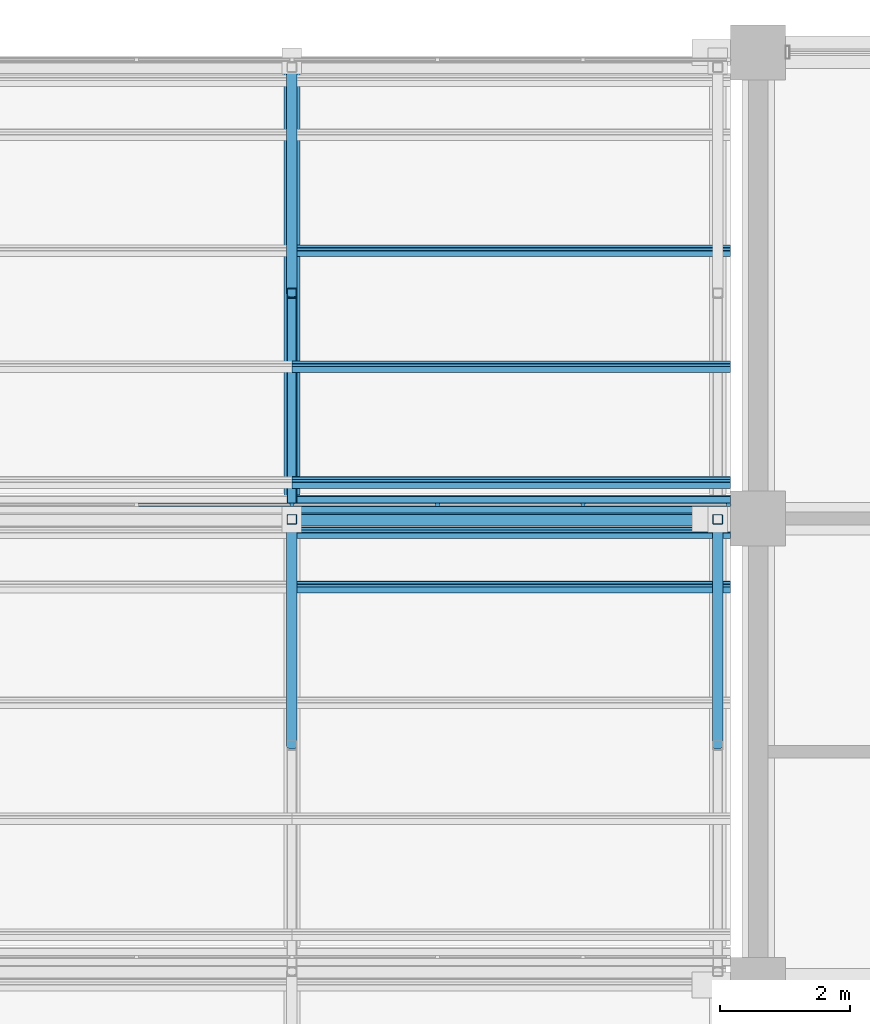
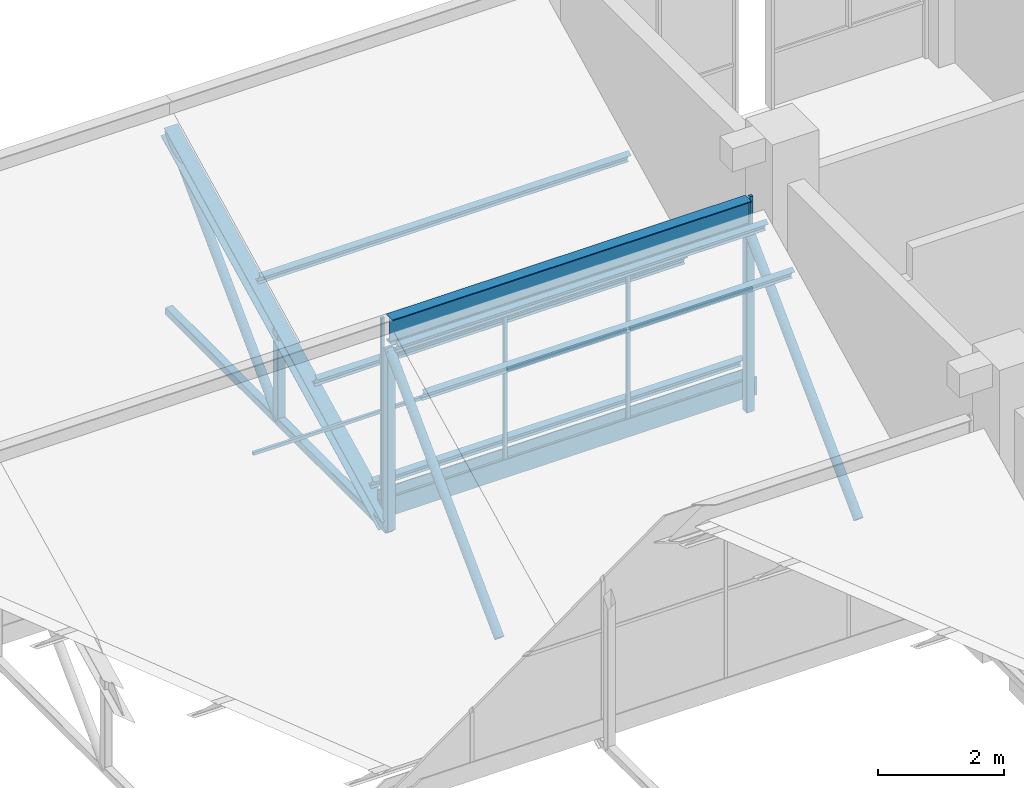
# One storey, part 56 of 83: 23 members, 2 elements without a shape of their own.
"""IFC4 building model written with IfcOpenShell, lengths in metres."""

from ifc_helpers import new_model, si_unit, direction, frame, origin, origin_2d, place, context, subcontext, project, spatial, polyline, rectangle, hollow_rectangle, hollow_circle, i_section, outline, extrude, material, material_profile, profile_set, type_object, element, aggregate, save


model = new_model("IFC4")

# Units and contexts
model_context = context("Model", 3, precision=1e-05, world=origin(), true_north=direction((0.0, 1.0)))
body_context = subcontext(model_context, "Body", "Model", "MODEL_VIEW")
ifc_project = project(units=[si_unit("LENGTHUNIT", "METRE"), si_unit("AREAUNIT", "SQUARE_METRE"), si_unit("VOLUMEUNIT", "CUBIC_METRE"), si_unit("PLANEANGLEUNIT", "RADIAN"), si_unit("MASSUNIT", "GRAM", prefix="KILO")], contexts=[model_context])

# Site, building, storey
site_placement = place(None, origin())
site = spatial("IfcSite", under=ifc_project, at=site_placement, CompositionType="ELEMENT")
building_placement = place(site_placement, origin())
building = spatial("IfcBuilding", under=site, at=building_placement, Name="Silangan Lancet Faculty of Sciences", CompositionType="ELEMENT")
storey_placement = place(building_placement, frame((0.0, 0.0, 11.39990234375)))
storey = spatial("IfcBuildingStorey", under=building, at=storey_placement, Name="L02", CompositionType="ELEMENT", Elevation=11.39990234375)

# Member
ifc_material_1 = material(Name="Steel SS400", Category="steel")
ifc_material_profile_1 = material_profile(ifc_material_1, i_section(OverallWidth=0.199951171875, OverallDepth=0.5, WebThickness=0.010009765625, FlangeThickness=0.01611328125, FilletRadius=0.02001953125, at=origin_2d()), Name="H 500x200x10x16")
ifc_profile_set_1 = profile_set([ifc_material_profile_1], Name="Steel SS400")
member_type_1 = type_object("IfcMemberType", Name="Exposed ridge beam H 500x200x10x16", PredefinedType="MEMBER", material=ifc_profile_set_1)
member_1_placement = place(storey_placement, frame((64.800048828125, 50.38818359375, 3.942626953125), z_axis=(1.0, 0.0, 0.0), x_axis=(0.0, 1.0, 0.0)))
element("IfcMember", 1, at=member_1_placement, inside=storey, type_object=member_type_1, Name="Exposed ridge beam NAB-2-6", PredefinedType="MEMBER", context=body_context, shape_type="SweptSolid", body=[
    extrude(i_section(OverallWidth=0.199951171875, OverallDepth=0.5, WebThickness=0.010009765625, FlangeThickness=0.01611328125, FilletRadius=0.02001953125, at=origin_2d()), origin(), (0.0, 0.0, 1.0), 6.574951171875),
])

# Curtain wall, members
ifc_material_2 = material(Name="Aluminium and laminated glass", Category="aluminium")
curtain_wall_type = type_object("IfcCurtainWallType", Name="North light glazing system", PredefinedType="NOTDEFINED", material=ifc_material_2)
curtain_wall_1_placement = place(storey_placement, origin())
curtain_wall_1 = element("IfcCurtainWall", 2, at=curtain_wall_1_placement, inside=storey, type_object=curtain_wall_type, Name="North light glazing NAB-2-6", PredefinedType="NOTDEFINED")
ifc_material_3 = material(Name="Aluminium 6063-T6", Category="aluminium")
ifc_material_profile_2 = material_profile(ifc_material_3, rectangle(XDim=0.06005859375, YDim=0.050048828125, at=origin_2d()), Name="AL 60x50")
ifc_profile_set_2 = profile_set([ifc_material_profile_2], Name="Aluminium 6063-T6")
member_type_2 = type_object("IfcMemberType", Name="North light mullion 60x50", PredefinedType="MULLION", material=ifc_profile_set_2)
member_2_placement = place(storey_placement, frame((64.800048828125, 50.61328125, 0.4423828125), z_axis=(0.0, 0.0, 1.0), x_axis=(1.0, 0.0, 0.0)))
member_2 = element("IfcMember", 3, at=member_2_placement, type_object=member_type_2, Name="North light mullion NAB-2-6 1", PredefinedType="MULLION", context=body_context, shape_type="SweptSolid", body=[
    extrude(rectangle(XDim=0.06005859375, YDim=0.050048828125, at=origin_2d()), origin(), (0.0, 0.0, 1.0), 3.60595703125),
])
member_3_placement = place(storey_placement, frame((67.04833984375, 50.61328125, 0.4423828125), z_axis=(0.0, 0.0, 1.0), x_axis=(1.0, 0.0, 0.0)))
member_3 = element("IfcMember", 4, at=member_3_placement, type_object=member_type_2, Name="North light mullion NAB-2-6 2", PredefinedType="MULLION", context=body_context, shape_type="SweptSolid", body=[
    extrude(rectangle(XDim=0.06005859375, YDim=0.050048828125, at=origin_2d()), origin(), (0.0, 0.0, 1.0), 3.60595703125),
])
member_4_placement = place(storey_placement, frame((69.296630859375, 50.61328125, 0.4423828125), z_axis=(0.0, 0.0, 1.0), x_axis=(1.0, 0.0, 0.0)))
member_4 = element("IfcMember", 5, at=member_4_placement, type_object=member_type_2, Name="North light mullion NAB-2-6 3", PredefinedType="MULLION", context=body_context, shape_type="SweptSolid", body=[
    extrude(rectangle(XDim=0.06005859375, YDim=0.050048828125, at=origin_2d()), origin(), (0.0, 0.0, 1.0), 3.60595703125),
])
member_5_placement = place(storey_placement, frame((71.544921875, 50.61328125, 0.4423828125), z_axis=(0.0, 0.0, 1.0), x_axis=(1.0, 0.0, 0.0)))
member_5 = element("IfcMember", 6, at=member_5_placement, type_object=member_type_2, Name="North light mullion NAB-2-6 4", PredefinedType="MULLION", context=body_context, shape_type="SweptSolid", body=[
    extrude(rectangle(XDim=0.06005859375, YDim=0.050048828125, at=origin_2d()), origin(), (0.0, 0.0, 1.0), 3.60595703125),
])

# Curtain wall, member
curtain_wall_2_placement = place(storey_placement, origin())
curtain_wall_2 = element("IfcCurtainWall", 7, at=curtain_wall_2_placement, inside=storey, type_object=curtain_wall_type, Name="North light glazing NAB-2-5", PredefinedType="NOTDEFINED")
ifc_material_4 = material(Name="Aluminium 6063-T6", Category="aluminium")
ifc_material_profile_3 = material_profile(ifc_material_4, rectangle(XDim=0.050048828125, YDim=0.06005859375, at=origin_2d()), Name="AL 50x60")
ifc_profile_set_3 = profile_set([ifc_material_profile_3], Name="Aluminium 6063-T6")
member_type_3 = type_object("IfcMemberType", Name="North light transom 50x60", PredefinedType="USERDEFINED", material=ifc_profile_set_3)
member_6_placement = place(storey_placement, frame((62.429931640625, 50.61328125, 2.245361328125), z_axis=(1.0, 0.0, 0.0), x_axis=(0.0, 1.0, 0.0)))
member_6 = element("IfcMember", 8, at=member_6_placement, type_object=member_type_3, Name="North light transom NAB-2-5 3", ObjectType="TRANSOM", PredefinedType="USERDEFINED", context=body_context, shape_type="SweptSolid", body=[
    extrude(rectangle(XDim=0.050048828125, YDim=0.06005859375, at=origin_2d()), origin(), (0.0, 0.0, 1.0), 2.340087890625),
])
aggregate(curtain_wall_2, [member_6])

# Member
member_7_placement = place(storey_placement, frame((64.830078125, 50.61328125, 2.245361328125), z_axis=(1.0, 0.0, 0.0), x_axis=(0.0, 1.0, 0.0)))
member_7 = element("IfcMember", 9, at=member_7_placement, type_object=member_type_3, Name="North light transom NAB-2-6 1", ObjectType="TRANSOM", PredefinedType="USERDEFINED", context=body_context, shape_type="SweptSolid", body=[
    extrude(rectangle(XDim=0.050048828125, YDim=0.06005859375, at=origin_2d()), origin(), (0.0, 0.0, 1.0), 2.188232421875),
])

member_8_placement = place(storey_placement, frame((67.078369140625, 50.61328125, 2.245361328125), z_axis=(1.0, 0.0, 0.0), x_axis=(0.0, 1.0, 0.0)))
member_8 = element("IfcMember", 10, at=member_8_placement, type_object=member_type_3, Name="North light transom NAB-2-6 2", ObjectType="TRANSOM", PredefinedType="USERDEFINED", context=body_context, shape_type="SweptSolid", body=[
    extrude(rectangle(XDim=0.050048828125, YDim=0.06005859375, at=origin_2d()), origin(), (0.0, 0.0, 1.0), 2.188232421875),
])

member_9_placement = place(storey_placement, frame((69.32666015625, 50.61328125, 2.245361328125), z_axis=(1.0, 0.0, 0.0), x_axis=(0.0, 1.0, 0.0)))
member_9 = element("IfcMember", 11, at=member_9_placement, type_object=member_type_3, Name="North light transom NAB-2-6 3", ObjectType="TRANSOM", PredefinedType="USERDEFINED", context=body_context, shape_type="SweptSolid", body=[
    extrude(rectangle(XDim=0.050048828125, YDim=0.06005859375, at=origin_2d()), origin(), (0.0, 0.0, 1.0), 2.248291015625),
])

aggregate(curtain_wall_1, [member_2, member_3, member_4, member_5, member_7, member_8, member_9])

# Members
ifc_material_5 = material(Name="Steel SS400", Category="steel")
ifc_material_profile_4 = material_profile(ifc_material_5, i_section(OverallWidth=0.10009765625, OverallDepth=0.199951171875, WebThickness=0.005615234375, FlangeThickness=0.008056640625, FilletRadius=0.008056640625, at=origin_2d()), Name="H 200x100x5.5x8")
ifc_profile_set_4 = profile_set([ifc_material_profile_4], Name="Steel SS400")
member_type_4 = type_object("IfcMemberType", Name="Sheeting purlin H 200x100x5.5x8", PredefinedType="PURLIN", material=ifc_profile_set_4)
for number, where, z_axis, x_axis, name in (
    (12, (64.800048828125, 49.343505859375, 3.31494140625), (1.0, 0.0, 0.0), (0.0, 0.894427192382, 0.447213592736), "Sheeting purlin NAB-2-6 4"),
    (13, (64.800048828125, 50.180419921875, 3.7333984375), (1.0, 0.0, 0.0), (0.0, 0.894427192382, 0.447213592736), "Sheeting purlin NAB-2-6 5"),
    (14, (64.800048828125, 50.95849609375, 0.6318359375), (1.0, 0.0, 0.0), (0.0, 0.894427192382, 0.447213592736), "Sheeting purlin NAB-3-6 1"),
    (15, (64.800048828125, 52.747314453125, 1.526123046875), (1.0, 0.0, 0.0), (0.0, 0.894427192382, 0.447213592736), "Sheeting purlin NAB-3-6 2"),
    (16, (64.800048828125, 54.5361328125, 2.420654296875), (1.0, 0.0, 0.0), (0.0, 0.894427192382, 0.447213592736), "Sheeting purlin NAB-3-6 3"),
):
    element("IfcMember", number, at=place(storey_placement, frame(where, z_axis=z_axis, x_axis=x_axis)), inside=storey, type_object=member_type_4, Name=name, PredefinedType="PURLIN", context=body_context, shape_type="SweptSolid", body=[
        extrude(i_section(OverallWidth=0.10009765625, OverallDepth=0.199951171875, WebThickness=0.005615234375, FlangeThickness=0.008056640625, FilletRadius=0.008056640625, at=origin_2d()), origin(), (0.0, 0.0, 1.0), 6.77490234375),
    ])
ifc_material_6 = material(Name="Steel STKR400", Category="steel")
ifc_material_profile_5 = material_profile(ifc_material_6, hollow_rectangle(XDim=0.14990234375, YDim=0.14990234375, WallThickness=0.009033203125, InnerFilletRadius=0.009033203125, OuterFilletRadius=0.01806640625, at=origin_2d()), Name="SHS 150x150x9.0")
ifc_profile_set_5 = profile_set([ifc_material_profile_5], Name="Steel STKR400")
member_type_5 = type_object("IfcMemberType", Name="Truss bottom chord SHS 150x150x9.0", PredefinedType="CHORD", material=ifc_profile_set_5)
member_10_placement = place(storey_placement, frame((64.800048828125, 50.38818359375, 0.09521484375), z_axis=(0.0, 1.0, 0.0), x_axis=(-1.0, 0.0, 0.0)))
element("IfcMember", 17, at=member_10_placement, inside=storey, type_object=member_type_5, Name="Truss 6 bottom chord 3", PredefinedType="CHORD", context=body_context, shape_type="SweptSolid", body=[
    extrude(hollow_rectangle(XDim=0.14990234375, YDim=0.14990234375, WallThickness=0.009033203125, InnerFilletRadius=0.009033203125, OuterFilletRadius=0.01806640625, at=origin_2d()), origin(), (0.0, 0.0, 1.0), 6.98193359375),
])
ifc_material_7 = material(Name="Steel STK400", Category="steel")
ifc_material_profile_6 = material_profile(ifc_material_7, hollow_circle(Radius=0.08251953125, WallThickness=0.0048828125, at=origin_2d()), Name="CHS 165.2x5.0")
ifc_profile_set_6 = profile_set([ifc_material_profile_6], Name="Steel STK400")
member_type_6 = type_object("IfcMemberType", Name="Truss diagonal CHS 165.2x5.0", PredefinedType="BRACE", material=ifc_profile_set_6)
member_11_placement = place(storey_placement, frame((64.800048828125, 46.8974609375, 0.09521484375), z_axis=(0.0, 0.707106781187, 0.707106781187), x_axis=(-1.0, 0.0, 0.0)))
element("IfcMember", 18, at=member_11_placement, inside=storey, type_object=member_type_6, Name="Truss 6 diagonal 2", PredefinedType="BRACE", context=body_context, shape_type="SweptSolid", body=[
    extrude(hollow_circle(Radius=0.08251953125, WallThickness=0.0048828125, at=origin_2d()), origin(), (0.0, 0.0, 1.0), 4.9365234375),
])
member_12_placement = place(storey_placement, frame((64.800048828125, 53.879150390625, 0.09521484375), z_axis=(0.0, 0.707131507361, 0.707082054147), x_axis=(-1.0, 0.0, 0.0)))
element("IfcMember", 19, at=member_12_placement, inside=storey, type_object=member_type_6, Name="Truss 6 diagonal 3", PredefinedType="BRACE", context=body_context, shape_type="SweptSolid", body=[
    extrude(hollow_circle(Radius=0.08251953125, WallThickness=0.0048828125, at=origin_2d()), origin(), (0.0, 0.0, 1.0), 4.936767578125),
])
member_13_placement = place(storey_placement, frame((71.375, 46.8974609375, 0.09521484375), z_axis=(0.0, 0.707106781187, 0.707106781187), x_axis=(-1.0, 0.0, 0.0)))
element("IfcMember", 20, at=member_13_placement, inside=storey, type_object=member_type_6, Name="Truss 7 diagonal 2", PredefinedType="BRACE", context=body_context, shape_type="SweptSolid", body=[
    extrude(hollow_circle(Radius=0.08251953125, WallThickness=0.0048828125, at=origin_2d()), origin(), (0.0, 0.0, 1.0), 4.9365234375),
])
ifc_material_8 = material(Name="Steel STKR400", Category="steel")
ifc_material_profile_7 = material_profile(ifc_material_8, hollow_rectangle(XDim=0.14990234375, YDim=0.14990234375, WallThickness=0.006103515625, InnerFilletRadius=0.006103515625, OuterFilletRadius=0.011962890625, at=origin_2d()), Name="SHS 150x150x6.0")
ifc_profile_set_7 = profile_set([ifc_material_profile_7], Name="Steel STKR400")
member_type_7 = type_object("IfcMemberType", Name="Truss post SHS 150x150x6.0", PredefinedType="POST", material=ifc_profile_set_7)
member_14_placement = place(storey_placement, frame((64.800048828125, 50.38818359375, 0.09521484375), z_axis=(0.0, 0.0, 1.0), x_axis=(1.0, 0.0, 0.0)))
element("IfcMember", 21, at=member_14_placement, inside=storey, type_object=member_type_7, Name="Truss 6 riser post 2", PredefinedType="POST", context=body_context, shape_type="SweptSolid", body=[
    extrude(hollow_rectangle(XDim=0.14990234375, YDim=0.14990234375, WallThickness=0.006103515625, InnerFilletRadius=0.006103515625, OuterFilletRadius=0.011962890625, at=origin_2d()), origin(), (0.0, 0.0, 1.0), 3.49072265625),
])
member_15_placement = place(storey_placement, frame((64.800048828125, 53.879150390625, 0.09521484375), z_axis=(0.0, 0.0, 1.0), x_axis=(1.0, 0.0, 0.0)))
element("IfcMember", 22, at=member_15_placement, inside=storey, type_object=member_type_7, Name="Truss 6 mid post 3", PredefinedType="POST", context=body_context, shape_type="SweptSolid", body=[
    extrude(hollow_rectangle(XDim=0.14990234375, YDim=0.14990234375, WallThickness=0.006103515625, InnerFilletRadius=0.006103515625, OuterFilletRadius=0.011962890625, at=origin_2d()), origin(), (0.0, 0.0, 1.0), 1.745361328125),
])
member_16_placement = place(storey_placement, frame((71.375, 50.38818359375, 0.09521484375), z_axis=(0.0, 0.0, 1.0), x_axis=(1.0, 0.0, 0.0)))
element("IfcMember", 23, at=member_16_placement, inside=storey, type_object=member_type_7, Name="Truss 7 riser post 2", PredefinedType="POST", context=body_context, shape_type="SweptSolid", body=[
    extrude(hollow_rectangle(XDim=0.14990234375, YDim=0.14990234375, WallThickness=0.006103515625, InnerFilletRadius=0.006103515625, OuterFilletRadius=0.011962890625, at=origin_2d()), origin(), (0.0, 0.0, 1.0), 3.49072265625),
])
ifc_material_9 = material(Name="Steel SS400", Category="steel")
ifc_material_profile_8 = material_profile(ifc_material_9, i_section(OverallWidth=0.25, OverallDepth=0.25, WebThickness=0.009033203125, FlangeThickness=0.013916015625, FilletRadius=0.01611328125, at=origin_2d()), Name="H 250x250x9x14")
ifc_profile_set_8 = profile_set([ifc_material_profile_8], Name="Steel SS400")
member_type_8 = type_object("IfcMemberType", Name="Truss top chord H 250x250x9x14", PredefinedType="CHORD", material=ifc_profile_set_8)
member_17_placement = place(storey_placement, frame((64.800048828125, 50.46875, 0.13525390625), z_axis=(0.0, 0.894427191, 0.4472135955), x_axis=(-1.0, 0.0, 0.0)))
element("IfcMember", 24, at=member_17_placement, inside=storey, type_object=member_type_8, Name="Truss 6 top chord 3", PredefinedType="CHORD", context=body_context, shape_type="SweptSolid", body=[
    extrude(i_section(OverallWidth=0.25, OverallDepth=0.25, WebThickness=0.009033203125, FlangeThickness=0.013916015625, FilletRadius=0.01611328125, at=origin_2d()), origin(), (0.0, 0.0, 1.0), 7.716064453125),
])
ifc_material_10 = material(Name="Stainless steel", Category="steel")
ifc_material_profile_9 = material_profile(ifc_material_10, outline(polyline([(-0.14990234375, 0.0), (0.14990234375, 0.14990234375), (0.14990234375, 0.35009765625), (0.1298828125, 0.35009765625), (0.1298828125, 0.169921875), (-0.1298828125, 0.169921875), (-0.1298828125, 0.35009765625), (-0.14990234375, 0.35009765625), (-0.14990234375, 0.0)])), Name="valley gutter")
ifc_profile_set_9 = profile_set([ifc_material_profile_9], Name="Stainless steel")
member_type_9 = type_object("IfcMemberType", Name="Valley gutter 300 wide", PredefinedType="USERDEFINED", material=ifc_profile_set_9)
member_18_placement = place(storey_placement, frame((64.800048828125, 50.61328125, 0.2724609375), z_axis=(1.0, 0.0, 0.0), x_axis=(0.0, 1.0, 0.0)))
element("IfcMember", 25, at=member_18_placement, inside=storey, type_object=member_type_9, Name="Valley gutter NAB-3-6", ObjectType="GUTTER", PredefinedType="USERDEFINED", context=body_context, shape_type="SweptSolid", body=[
    extrude(outline(polyline([(-0.14990234375, 0.0), (0.14990234375, 0.14990234375), (0.14990234375, 0.35009765625), (0.1298828125, 0.35009765625), (0.1298828125, 0.169921875), (-0.1298828125, 0.169921875), (-0.1298828125, 0.35009765625), (-0.14990234375, 0.35009765625), (-0.14990234375, 0.0)])), origin(), (0.0, 0.0, 1.0), 6.77490234375),
])

save(model, "model.ifc")
